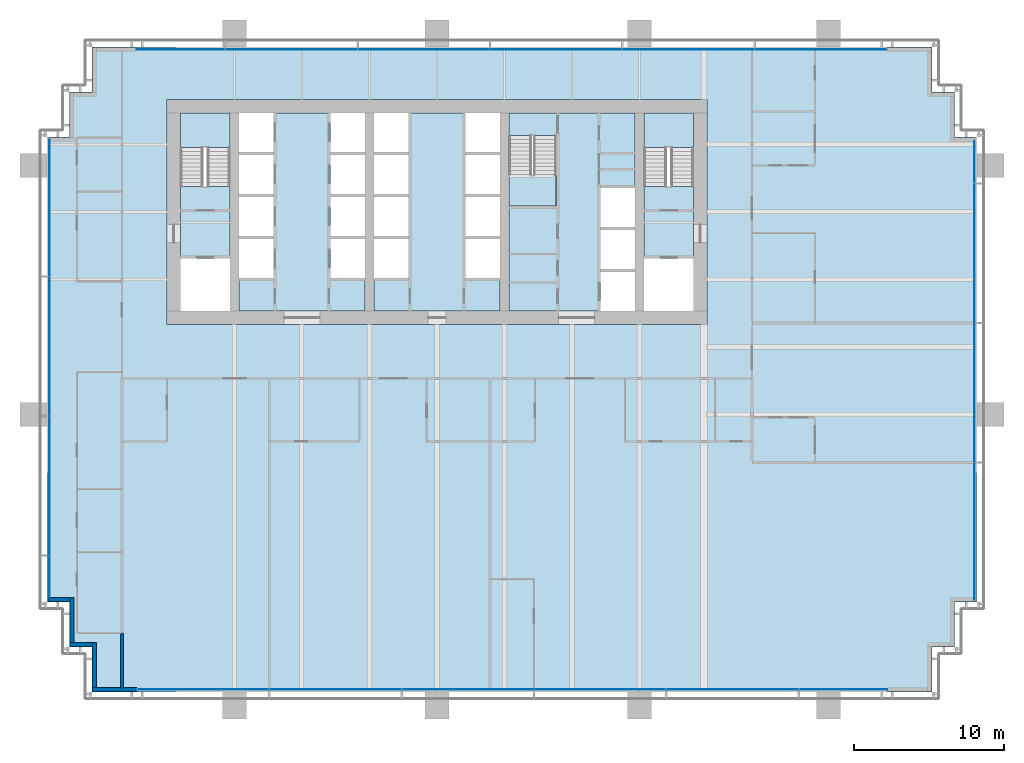
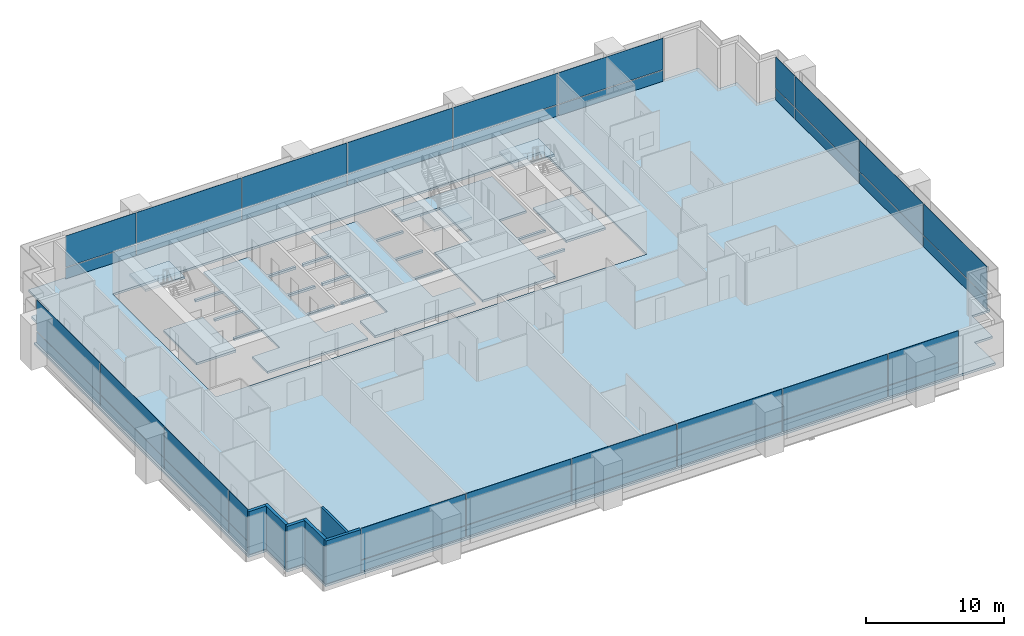
# One storey, part 11 of 19: 40 plates, 9 slabs, 6 walls, 7 elements without a shape of their own.
"""IFC4 building model written with IfcOpenShell, lengths in metres."""

from ifc_helpers import new_model, si_unit, direction, frame, frame_2d, origin, origin_2d, place, context, subcontext, project, spatial, polyline, rectangle, outline, extrude, material, layer, layer_set, type_object, element, aggregate, save


model = new_model("IFC4")

# Units and contexts
model_context = context("Model", 3, precision=1e-05, world=origin(), true_north=direction((0.0, 1.0)))
body_context = subcontext(model_context, "Body", "Model", "MODEL_VIEW")
ifc_project = project(units=[si_unit("LENGTHUNIT", "METRE"), si_unit("AREAUNIT", "SQUARE_METRE"), si_unit("VOLUMEUNIT", "CUBIC_METRE"), si_unit("PLANEANGLEUNIT", "RADIAN"), si_unit("MASSUNIT", "GRAM", prefix="KILO")], contexts=[model_context])

# Site, building, storey
site_placement = place(None, origin())
site = spatial("IfcSite", under=ifc_project, at=site_placement, CompositionType="ELEMENT")
building_placement = place(site_placement, origin())
building = spatial("IfcBuilding", under=site, at=building_placement, Name="Rattan Terrace Tower", CompositionType="ELEMENT")
storey_placement = place(building_placement, frame((0.0, 0.0, 87.699951171875)))
storey = spatial("IfcBuildingStorey", under=building, at=storey_placement, Name="L19", CompositionType="ELEMENT", Elevation=87.699951171875)

# Stair, slab
ifc_material_1 = material(Name="Concrete C40/50", Category="concrete")
stair_type = type_object("IfcStairType", Name="Core exit stair 1500", PredefinedType="HALF_TURN_STAIR", material=ifc_material_1)
stair_1_placement = place(storey_placement, origin())
stair_1 = element("IfcStair", 1, at=stair_1_placement, inside=storey, type_object=stair_type, Name="L19 exit stair 1", PredefinedType="HALF_TURN_STAIR")
ifc_material_2 = material(Name="Concrete C40/50", Category="concrete")
ifc_layer_1 = layer(ifc_material_2, 0.199951171875)
ifc_layer_set_1 = layer_set([ifc_layer_1], Name="Core exit stair landing")
slab_type_1 = type_object("IfcSlabType", Name="Core exit stair landing", PredefinedType="LANDING", material=ifc_layer_set_1)
slab_1_placement = place(storey_placement, frame((0.0, 0.0, 1.800048828125)))
slab_1 = element("IfcSlab", 2, at=slab_1_placement, type_object=slab_type_1, Name="S1 landing 1", PredefinedType="LANDING", context=body_context, shape_type="SweptSolid", body=[
    extrude(outline(polyline([(-13.800048828125, 4.300048828125), (-13.800048828125, 6.60009765625), (-17.10009765625, 6.60009765625), (-17.10009765625, 4.300048828125), (-13.800048828125, 4.300048828125)])), origin(), (0.0, 0.0, 1.0), 0.199951171875),
])
aggregate(stair_1, [slab_1])

stair_2_placement = place(storey_placement, origin())
stair_2 = element("IfcStair", 3, at=stair_2_placement, inside=storey, type_object=stair_type, Name="L19 exit stair 2", PredefinedType="HALF_TURN_STAIR")
slab_2_placement = place(storey_placement, frame((0.0, 0.0, 1.800048828125)))
slab_2 = element("IfcSlab", 4, at=slab_2_placement, type_object=slab_type_1, Name="S2 landing 1", PredefinedType="LANDING", context=body_context, shape_type="SweptSolid", body=[
    extrude(outline(polyline([(17.10009765625, 4.300048828125), (17.10009765625, 6.60009765625), (13.800048828125, 6.60009765625), (13.800048828125, 4.300048828125), (17.10009765625, 4.300048828125)])), origin(), (0.0, 0.0, 1.0), 0.199951171875),
])
aggregate(stair_2, [slab_2])

stair_3_placement = place(storey_placement, origin())
stair_3 = element("IfcStair", 5, at=stair_3_placement, inside=storey, type_object=stair_type, Name="L19 exit stair 3", PredefinedType="HALF_TURN_STAIR")
slab_3_placement = place(storey_placement, frame((0.0, 0.0, 1.800048828125)))
slab_3 = element("IfcSlab", 6, at=slab_3_placement, type_object=slab_type_1, Name="S3 landing 1", PredefinedType="LANDING", context=body_context, shape_type="SweptSolid", body=[
    extrude(outline(polyline([(4.800048828125, 2.5), (4.800048828125, 0.39990234375), (7.949951171875, 0.39990234375), (7.949951171875, 2.5), (4.800048828125, 2.5)])), origin(), (0.0, 0.0, 1.0), 0.199951171875),
])
aggregate(stair_3, [slab_3])

# Curtain wall, plates
ifc_material_3 = material(Name="Aluminium and glass", Category="aluminium")
curtain_wall_type = type_object("IfcCurtainWallType", Name="Facade Unitised Curtain Wall", PredefinedType="NOTDEFINED", material=ifc_material_3)
curtain_wall_1_placement = place(storey_placement, origin())
curtain_wall_1 = element("IfcCurtainWall", 7, at=curtain_wall_1_placement, inside=storey, type_object=curtain_wall_type, Name="Curtain wall L19-1", PredefinedType="NOTDEFINED")
ifc_material_4 = material(Name="Aluminium insulated spandrel panel", Category="aluminium")
ifc_layer_2 = layer(ifc_material_4, 0.028076171875)
ifc_layer_set_2 = layer_set([ifc_layer_2], Name="Facade CW Spandrel Panel")
plate_type_1 = type_object("IfcPlateType", Name="Facade CW Spandrel Panel", PredefinedType="CURTAIN_PANEL", material=ifc_layer_set_2)
plate_1_placement = place(storey_placement, frame((35.830078125, -21.3125, 0.0), z_axis=(0.0, 0.0, 1.0), x_axis=(0.0, 1.0, 0.0)))
plate_1 = element("IfcPlate", 8, at=plate_1_placement, type_object=plate_type_1, Name="Panel cwl-L19-001.1.1", PredefinedType="CURTAIN_PANEL", context=body_context, shape_type="SweptSolid", body=[
    extrude(rectangle(XDim=9.1650390625, YDim=0.028076171875, at=origin_2d()), origin(), (0.0, 0.0, 1.0), 0.969970703125),
])
plate_2_placement = place(storey_placement, frame((35.830078125, -12.050048828125, 0.0), z_axis=(0.0, 0.0, 1.0), x_axis=(0.0, 1.0, 0.0)))
plate_2 = element("IfcPlate", 9, at=plate_2_placement, type_object=plate_type_1, Name="Panel cwl-L19-001.2.1", PredefinedType="CURTAIN_PANEL", context=body_context, shape_type="SweptSolid", body=[
    extrude(rectangle(XDim=9.239990234375, YDim=0.028076171875, at=origin_2d()), origin(), (0.0, 0.0, 1.0), 0.969970703125),
])
plate_3_placement = place(storey_placement, frame((35.830078125, -2.75, 0.0), z_axis=(0.0, 0.0, 1.0), x_axis=(0.0, 1.0, 0.0)))
plate_3 = element("IfcPlate", 10, at=plate_3_placement, type_object=plate_type_1, Name="Panel cwl-L19-001.3.1", PredefinedType="CURTAIN_PANEL", context=body_context, shape_type="SweptSolid", body=[
    extrude(rectangle(XDim=9.239990234375, YDim=0.028076171875, at=origin_2d()), origin(), (0.0, 0.0, 1.0), 0.969970703125),
])
plate_4_placement = place(storey_placement, frame((35.830078125, 3.3173828125, 0.0), z_axis=(0.0, 0.0, 1.0), x_axis=(0.0, 1.0, 0.0)))
plate_4 = element("IfcPlate", 11, at=plate_4_placement, type_object=plate_type_1, Name="Panel cwl-L19-001.4.1", PredefinedType="CURTAIN_PANEL", context=body_context, shape_type="SweptSolid", body=[
    extrude(rectangle(XDim=2.77490234375, YDim=0.028076171875, at=origin_2d()), origin(), (0.0, 0.0, 1.0), 0.969970703125),
])

curtain_wall_2_placement = place(storey_placement, origin())
curtain_wall_2 = element("IfcCurtainWall", 12, at=curtain_wall_2_placement, inside=storey, type_object=curtain_wall_type, Name="Curtain wall L19-2", PredefinedType="NOTDEFINED")
plate_5_placement = place(storey_placement, frame((25.573486328125, 10.830078125, 0.0), z_axis=(0.0, 0.0, 1.0), x_axis=(-1.0, 0.0, 0.0)))
plate_5 = element("IfcPlate", 13, at=plate_5_placement, type_object=plate_type_1, Name="Panel cwl-L19-002.1.1", PredefinedType="CURTAIN_PANEL", context=body_context, shape_type="SweptSolid", body=[
    extrude(rectangle(XDim=8.73291015625, YDim=0.028076171875, at=origin_2d()), origin(), (0.0, 0.0, 1.0), 0.969970703125),
])
plate_6_placement = place(storey_placement, frame((16.765380859375, 10.830078125, 0.0), z_axis=(0.0, 0.0, 1.0), x_axis=(-1.0, 0.0, 0.0)))
plate_6 = element("IfcPlate", 14, at=plate_6_placement, type_object=plate_type_1, Name="Panel cwl-L19-002.2.1", PredefinedType="CURTAIN_PANEL", context=body_context, shape_type="SweptSolid", body=[
    extrude(rectangle(XDim=8.762939453125, YDim=0.028076171875, at=origin_2d()), origin(), (0.0, 0.0, 1.0), 0.969970703125),
])
plate_7_placement = place(storey_placement, frame((7.9423828125, 10.830078125, 0.0), z_axis=(0.0, 0.0, 1.0), x_axis=(-1.0, 0.0, 0.0)))
plate_7 = element("IfcPlate", 15, at=plate_7_placement, type_object=plate_type_1, Name="Panel cwl-L19-002.3.1", PredefinedType="CURTAIN_PANEL", context=body_context, shape_type="SweptSolid", body=[
    extrude(rectangle(XDim=8.762939453125, YDim=0.028076171875, at=origin_2d()), origin(), (0.0, 0.0, 1.0), 0.969970703125),
])
plate_8_placement = place(storey_placement, frame((-0.880615234375, 10.830078125, 0.0), z_axis=(0.0, 0.0, 1.0), x_axis=(-1.0, 0.0, 0.0)))
plate_8 = element("IfcPlate", 16, at=plate_8_placement, type_object=plate_type_1, Name="Panel cwl-L19-002.4.1", PredefinedType="CURTAIN_PANEL", context=body_context, shape_type="SweptSolid", body=[
    extrude(rectangle(XDim=8.762939453125, YDim=0.028076171875, at=origin_2d()), origin(), (0.0, 0.0, 1.0), 0.969970703125),
])
plate_9_placement = place(storey_placement, frame((-9.70361328125, 10.830078125, 0.0), z_axis=(0.0, 0.0, 1.0), x_axis=(-1.0, 0.0, 0.0)))
plate_9 = element("IfcPlate", 17, at=plate_9_placement, type_object=plate_type_1, Name="Panel cwl-L19-002.5.1", PredefinedType="CURTAIN_PANEL", context=body_context, shape_type="SweptSolid", body=[
    extrude(rectangle(XDim=8.762939453125, YDim=0.028076171875, at=origin_2d()), origin(), (0.0, 0.0, 1.0), 0.969970703125),
])
plate_10_placement = place(storey_placement, frame((-17.072509765625, 10.830078125, 0.0), z_axis=(0.0, 0.0, 1.0), x_axis=(-1.0, 0.0, 0.0)))
plate_10 = element("IfcPlate", 18, at=plate_10_placement, type_object=plate_type_1, Name="Panel cwl-L19-002.6.1", PredefinedType="CURTAIN_PANEL", context=body_context, shape_type="SweptSolid", body=[
    extrude(rectangle(XDim=5.85498046875, YDim=0.028076171875, at=origin_2d()), origin(), (0.0, 0.0, 1.0), 0.969970703125),
])

curtain_wall_3_placement = place(storey_placement, origin())
curtain_wall_3 = element("IfcCurtainWall", 19, at=curtain_wall_3_placement, inside=storey, type_object=curtain_wall_type, Name="Curtain wall L19-3", PredefinedType="NOTDEFINED")
plate_11_placement = place(storey_placement, frame((-25.830078125, 0.3125, 0.0), z_axis=(0.0, 0.0, 1.0), x_axis=(0.0, -1.0, 0.0)))
plate_11 = element("IfcPlate", 20, at=plate_11_placement, type_object=plate_type_1, Name="Panel cwl-L19-003.1.1", PredefinedType="CURTAIN_PANEL", context=body_context, shape_type="SweptSolid", body=[
    extrude(rectangle(XDim=9.1650390625, YDim=0.028076171875, at=origin_2d()), origin(), (0.0, 0.0, 1.0), 0.969970703125),
])
plate_12_placement = place(storey_placement, frame((-25.830078125, -8.949951171875, 0.0), z_axis=(0.0, 0.0, 1.0), x_axis=(0.0, -1.0, 0.0)))
plate_12 = element("IfcPlate", 21, at=plate_12_placement, type_object=plate_type_1, Name="Panel cwl-L19-003.2.1", PredefinedType="CURTAIN_PANEL", context=body_context, shape_type="SweptSolid", body=[
    extrude(rectangle(XDim=9.239990234375, YDim=0.028076171875, at=origin_2d()), origin(), (0.0, 0.0, 1.0), 0.969970703125),
])
plate_13_placement = place(storey_placement, frame((-25.830078125, -18.25, 0.0), z_axis=(0.0, 0.0, 1.0), x_axis=(0.0, -1.0, 0.0)))
plate_13 = element("IfcPlate", 22, at=plate_13_placement, type_object=plate_type_1, Name="Panel cwl-L19-003.3.1", PredefinedType="CURTAIN_PANEL", context=body_context, shape_type="SweptSolid", body=[
    extrude(rectangle(XDim=9.239990234375, YDim=0.028076171875, at=origin_2d()), origin(), (0.0, 0.0, 1.0), 0.969970703125),
])
plate_14_placement = place(storey_placement, frame((-25.830078125, -24.3173828125, 0.0), z_axis=(0.0, 0.0, 1.0), x_axis=(0.0, -1.0, 0.0)))
plate_14 = element("IfcPlate", 23, at=plate_14_placement, type_object=plate_type_1, Name="Panel cwl-L19-003.4.1", PredefinedType="CURTAIN_PANEL", context=body_context, shape_type="SweptSolid", body=[
    extrude(rectangle(XDim=2.77490234375, YDim=0.028076171875, at=origin_2d()), origin(), (0.0, 0.0, 1.0), 0.969970703125),
])

curtain_wall_4_placement = place(storey_placement, origin())
curtain_wall_4 = element("IfcCurtainWall", 24, at=curtain_wall_4_placement, inside=storey, type_object=curtain_wall_type, Name="Curtain wall L19-4", PredefinedType="NOTDEFINED")
plate_15_placement = place(storey_placement, frame((-15.573486328125, -31.830078125, 0.0), z_axis=(0.0, 0.0, 1.0), x_axis=(1.0, 0.0, 0.0)))
plate_15 = element("IfcPlate", 25, at=plate_15_placement, type_object=plate_type_1, Name="Panel cwl-L19-004.1.1", PredefinedType="CURTAIN_PANEL", context=body_context, shape_type="SweptSolid", body=[
    extrude(rectangle(XDim=8.73291015625, YDim=0.028076171875, at=origin_2d()), origin(), (0.0, 0.0, 1.0), 0.969970703125),
])
plate_16_placement = place(storey_placement, frame((-6.765380859375, -31.830078125, 0.0), z_axis=(0.0, 0.0, 1.0), x_axis=(1.0, 0.0, 0.0)))
plate_16 = element("IfcPlate", 26, at=plate_16_placement, type_object=plate_type_1, Name="Panel cwl-L19-004.2.1", PredefinedType="CURTAIN_PANEL", context=body_context, shape_type="SweptSolid", body=[
    extrude(rectangle(XDim=8.762939453125, YDim=0.028076171875, at=origin_2d()), origin(), (0.0, 0.0, 1.0), 0.969970703125),
])
plate_17_placement = place(storey_placement, frame((2.0576171875, -31.830078125, 0.0), z_axis=(0.0, 0.0, 1.0), x_axis=(1.0, 0.0, 0.0)))
plate_17 = element("IfcPlate", 27, at=plate_17_placement, type_object=plate_type_1, Name="Panel cwl-L19-004.3.1", PredefinedType="CURTAIN_PANEL", context=body_context, shape_type="SweptSolid", body=[
    extrude(rectangle(XDim=8.762939453125, YDim=0.028076171875, at=origin_2d()), origin(), (0.0, 0.0, 1.0), 0.969970703125),
])
plate_18_placement = place(storey_placement, frame((10.880615234375, -31.830078125, 0.0), z_axis=(0.0, 0.0, 1.0), x_axis=(1.0, 0.0, 0.0)))
plate_18 = element("IfcPlate", 28, at=plate_18_placement, type_object=plate_type_1, Name="Panel cwl-L19-004.4.1", PredefinedType="CURTAIN_PANEL", context=body_context, shape_type="SweptSolid", body=[
    extrude(rectangle(XDim=8.762939453125, YDim=0.028076171875, at=origin_2d()), origin(), (0.0, 0.0, 1.0), 0.969970703125),
])
plate_19_placement = place(storey_placement, frame((19.70361328125, -31.830078125, 0.0), z_axis=(0.0, 0.0, 1.0), x_axis=(1.0, 0.0, 0.0)))
plate_19 = element("IfcPlate", 29, at=plate_19_placement, type_object=plate_type_1, Name="Panel cwl-L19-004.5.1", PredefinedType="CURTAIN_PANEL", context=body_context, shape_type="SweptSolid", body=[
    extrude(rectangle(XDim=8.762939453125, YDim=0.028076171875, at=origin_2d()), origin(), (0.0, 0.0, 1.0), 0.969970703125),
])
plate_20_placement = place(storey_placement, frame((27.072509765625, -31.830078125, 0.0), z_axis=(0.0, 0.0, 1.0), x_axis=(1.0, 0.0, 0.0)))
plate_20 = element("IfcPlate", 30, at=plate_20_placement, type_object=plate_type_1, Name="Panel cwl-L19-004.6.1", PredefinedType="CURTAIN_PANEL", context=body_context, shape_type="SweptSolid", body=[
    extrude(rectangle(XDim=5.85498046875, YDim=0.028076171875, at=origin_2d()), origin(), (0.0, 0.0, 1.0), 0.969970703125),
])

# Plate
ifc_material_5 = material(Name="Clear low-iron glass", Category="glass")
ifc_layer_3 = layer(ifc_material_5, 0.028076171875)
ifc_layer_set_3 = layer_set([ifc_layer_3], Name="Facade CW Vision Panel")
plate_type_2 = type_object("IfcPlateType", Name="Facade CW Vision Panel", PredefinedType="CURTAIN_PANEL", material=ifc_layer_set_3)
plate_21_placement = place(storey_placement, frame((35.830078125, -21.3125, 1.030029296875), z_axis=(0.0, 0.0, 1.0), x_axis=(0.0, 1.0, 0.0)))
plate_21 = element("IfcPlate", 31, at=plate_21_placement, type_object=plate_type_2, Name="Panel cwl-L19-001.1.2", PredefinedType="CURTAIN_PANEL", context=body_context, shape_type="SweptSolid", body=[
    extrude(rectangle(XDim=9.1650390625, YDim=0.028076171875, at=origin_2d()), origin(), (0.0, 0.0, 1.0), 2.77001953125),
])

plate_22_placement = place(storey_placement, frame((35.830078125, -12.050048828125, 1.030029296875), z_axis=(0.0, 0.0, 1.0), x_axis=(0.0, 1.0, 0.0)))
plate_22 = element("IfcPlate", 32, at=plate_22_placement, type_object=plate_type_2, Name="Panel cwl-L19-001.2.2", PredefinedType="CURTAIN_PANEL", context=body_context, shape_type="SweptSolid", body=[
    extrude(rectangle(XDim=9.239990234375, YDim=0.028076171875, at=origin_2d()), origin(), (0.0, 0.0, 1.0), 2.77001953125),
])

plate_23_placement = place(storey_placement, frame((35.830078125, -2.75, 1.030029296875), z_axis=(0.0, 0.0, 1.0), x_axis=(0.0, 1.0, 0.0)))
plate_23 = element("IfcPlate", 33, at=plate_23_placement, type_object=plate_type_2, Name="Panel cwl-L19-001.3.2", PredefinedType="CURTAIN_PANEL", context=body_context, shape_type="SweptSolid", body=[
    extrude(rectangle(XDim=9.239990234375, YDim=0.028076171875, at=origin_2d()), origin(), (0.0, 0.0, 1.0), 2.77001953125),
])

plate_24_placement = place(storey_placement, frame((35.830078125, 3.3173828125, 1.030029296875), z_axis=(0.0, 0.0, 1.0), x_axis=(0.0, 1.0, 0.0)))
plate_24 = element("IfcPlate", 34, at=plate_24_placement, type_object=plate_type_2, Name="Panel cwl-L19-001.4.2", PredefinedType="CURTAIN_PANEL", context=body_context, shape_type="SweptSolid", body=[
    extrude(rectangle(XDim=2.77490234375, YDim=0.028076171875, at=origin_2d()), origin(), (0.0, 0.0, 1.0), 2.77001953125),
])

aggregate(curtain_wall_1, [plate_1, plate_21, plate_2, plate_22, plate_3, plate_23, plate_4, plate_24])

plate_25_placement = place(storey_placement, frame((25.573486328125, 10.830078125, 1.030029296875), z_axis=(0.0, 0.0, 1.0), x_axis=(-1.0, 0.0, 0.0)))
plate_25 = element("IfcPlate", 35, at=plate_25_placement, type_object=plate_type_2, Name="Panel cwl-L19-002.1.2", PredefinedType="CURTAIN_PANEL", context=body_context, shape_type="SweptSolid", body=[
    extrude(rectangle(XDim=8.73291015625, YDim=0.028076171875, at=origin_2d()), origin(), (0.0, 0.0, 1.0), 2.77001953125),
])

plate_26_placement = place(storey_placement, frame((16.765380859375, 10.830078125, 1.030029296875), z_axis=(0.0, 0.0, 1.0), x_axis=(-1.0, 0.0, 0.0)))
plate_26 = element("IfcPlate", 36, at=plate_26_placement, type_object=plate_type_2, Name="Panel cwl-L19-002.2.2", PredefinedType="CURTAIN_PANEL", context=body_context, shape_type="SweptSolid", body=[
    extrude(rectangle(XDim=8.762939453125, YDim=0.028076171875, at=origin_2d()), origin(), (0.0, 0.0, 1.0), 2.77001953125),
])

plate_27_placement = place(storey_placement, frame((7.9423828125, 10.830078125, 1.030029296875), z_axis=(0.0, 0.0, 1.0), x_axis=(-1.0, 0.0, 0.0)))
plate_27 = element("IfcPlate", 37, at=plate_27_placement, type_object=plate_type_2, Name="Panel cwl-L19-002.3.2", PredefinedType="CURTAIN_PANEL", context=body_context, shape_type="SweptSolid", body=[
    extrude(rectangle(XDim=8.762939453125, YDim=0.028076171875, at=origin_2d()), origin(), (0.0, 0.0, 1.0), 2.77001953125),
])

plate_28_placement = place(storey_placement, frame((-0.880615234375, 10.830078125, 1.030029296875), z_axis=(0.0, 0.0, 1.0), x_axis=(-1.0, 0.0, 0.0)))
plate_28 = element("IfcPlate", 38, at=plate_28_placement, type_object=plate_type_2, Name="Panel cwl-L19-002.4.2", PredefinedType="CURTAIN_PANEL", context=body_context, shape_type="SweptSolid", body=[
    extrude(rectangle(XDim=8.762939453125, YDim=0.028076171875, at=origin_2d()), origin(), (0.0, 0.0, 1.0), 2.77001953125),
])

plate_29_placement = place(storey_placement, frame((-9.70361328125, 10.830078125, 1.030029296875), z_axis=(0.0, 0.0, 1.0), x_axis=(-1.0, 0.0, 0.0)))
plate_29 = element("IfcPlate", 39, at=plate_29_placement, type_object=plate_type_2, Name="Panel cwl-L19-002.5.2", PredefinedType="CURTAIN_PANEL", context=body_context, shape_type="SweptSolid", body=[
    extrude(rectangle(XDim=8.762939453125, YDim=0.028076171875, at=origin_2d()), origin(), (0.0, 0.0, 1.0), 2.77001953125),
])

plate_30_placement = place(storey_placement, frame((-17.072509765625, 10.830078125, 1.030029296875), z_axis=(0.0, 0.0, 1.0), x_axis=(-1.0, 0.0, 0.0)))
plate_30 = element("IfcPlate", 40, at=plate_30_placement, type_object=plate_type_2, Name="Panel cwl-L19-002.6.2", PredefinedType="CURTAIN_PANEL", context=body_context, shape_type="SweptSolid", body=[
    extrude(rectangle(XDim=5.85498046875, YDim=0.028076171875, at=origin_2d()), origin(), (0.0, 0.0, 1.0), 2.77001953125),
])

aggregate(curtain_wall_2, [plate_5, plate_25, plate_6, plate_26, plate_7, plate_27, plate_8, plate_28, plate_9, plate_29, plate_10, plate_30])

plate_31_placement = place(storey_placement, frame((-25.830078125, 0.3125, 1.030029296875), z_axis=(0.0, 0.0, 1.0), x_axis=(0.0, -1.0, 0.0)))
plate_31 = element("IfcPlate", 41, at=plate_31_placement, type_object=plate_type_2, Name="Panel cwl-L19-003.1.2", PredefinedType="CURTAIN_PANEL", context=body_context, shape_type="SweptSolid", body=[
    extrude(rectangle(XDim=9.1650390625, YDim=0.028076171875, at=origin_2d()), origin(), (0.0, 0.0, 1.0), 2.77001953125),
])

plate_32_placement = place(storey_placement, frame((-25.830078125, -8.949951171875, 1.030029296875), z_axis=(0.0, 0.0, 1.0), x_axis=(0.0, -1.0, 0.0)))
plate_32 = element("IfcPlate", 42, at=plate_32_placement, type_object=plate_type_2, Name="Panel cwl-L19-003.2.2", PredefinedType="CURTAIN_PANEL", context=body_context, shape_type="SweptSolid", body=[
    extrude(rectangle(XDim=9.239990234375, YDim=0.028076171875, at=origin_2d()), origin(), (0.0, 0.0, 1.0), 2.77001953125),
])

plate_33_placement = place(storey_placement, frame((-25.830078125, -18.25, 1.030029296875), z_axis=(0.0, 0.0, 1.0), x_axis=(0.0, -1.0, 0.0)))
plate_33 = element("IfcPlate", 43, at=plate_33_placement, type_object=plate_type_2, Name="Panel cwl-L19-003.3.2", PredefinedType="CURTAIN_PANEL", context=body_context, shape_type="SweptSolid", body=[
    extrude(rectangle(XDim=9.239990234375, YDim=0.028076171875, at=origin_2d()), origin(), (0.0, 0.0, 1.0), 2.77001953125),
])

plate_34_placement = place(storey_placement, frame((-25.830078125, -24.3173828125, 1.030029296875), z_axis=(0.0, 0.0, 1.0), x_axis=(0.0, -1.0, 0.0)))
plate_34 = element("IfcPlate", 44, at=plate_34_placement, type_object=plate_type_2, Name="Panel cwl-L19-003.4.2", PredefinedType="CURTAIN_PANEL", context=body_context, shape_type="SweptSolid", body=[
    extrude(rectangle(XDim=2.77490234375, YDim=0.028076171875, at=origin_2d()), origin(), (0.0, 0.0, 1.0), 2.77001953125),
])

aggregate(curtain_wall_3, [plate_11, plate_31, plate_12, plate_32, plate_13, plate_33, plate_14, plate_34])

plate_35_placement = place(storey_placement, frame((-15.573486328125, -31.830078125, 1.030029296875), z_axis=(0.0, 0.0, 1.0), x_axis=(1.0, 0.0, 0.0)))
plate_35 = element("IfcPlate", 45, at=plate_35_placement, type_object=plate_type_2, Name="Panel cwl-L19-004.1.2", PredefinedType="CURTAIN_PANEL", context=body_context, shape_type="SweptSolid", body=[
    extrude(rectangle(XDim=8.73291015625, YDim=0.028076171875, at=origin_2d()), origin(), (0.0, 0.0, 1.0), 2.77001953125),
])

plate_36_placement = place(storey_placement, frame((-6.765380859375, -31.830078125, 1.030029296875), z_axis=(0.0, 0.0, 1.0), x_axis=(1.0, 0.0, 0.0)))
plate_36 = element("IfcPlate", 46, at=plate_36_placement, type_object=plate_type_2, Name="Panel cwl-L19-004.2.2", PredefinedType="CURTAIN_PANEL", context=body_context, shape_type="SweptSolid", body=[
    extrude(rectangle(XDim=8.762939453125, YDim=0.028076171875, at=origin_2d()), origin(), (0.0, 0.0, 1.0), 2.77001953125),
])

plate_37_placement = place(storey_placement, frame((2.0576171875, -31.830078125, 1.030029296875), z_axis=(0.0, 0.0, 1.0), x_axis=(1.0, 0.0, 0.0)))
plate_37 = element("IfcPlate", 47, at=plate_37_placement, type_object=plate_type_2, Name="Panel cwl-L19-004.3.2", PredefinedType="CURTAIN_PANEL", context=body_context, shape_type="SweptSolid", body=[
    extrude(rectangle(XDim=8.762939453125, YDim=0.028076171875, at=origin_2d()), origin(), (0.0, 0.0, 1.0), 2.77001953125),
])

plate_38_placement = place(storey_placement, frame((10.880615234375, -31.830078125, 1.030029296875), z_axis=(0.0, 0.0, 1.0), x_axis=(1.0, 0.0, 0.0)))
plate_38 = element("IfcPlate", 48, at=plate_38_placement, type_object=plate_type_2, Name="Panel cwl-L19-004.4.2", PredefinedType="CURTAIN_PANEL", context=body_context, shape_type="SweptSolid", body=[
    extrude(rectangle(XDim=8.762939453125, YDim=0.028076171875, at=origin_2d()), origin(), (0.0, 0.0, 1.0), 2.77001953125),
])

plate_39_placement = place(storey_placement, frame((19.70361328125, -31.830078125, 1.030029296875), z_axis=(0.0, 0.0, 1.0), x_axis=(1.0, 0.0, 0.0)))
plate_39 = element("IfcPlate", 49, at=plate_39_placement, type_object=plate_type_2, Name="Panel cwl-L19-004.5.2", PredefinedType="CURTAIN_PANEL", context=body_context, shape_type="SweptSolid", body=[
    extrude(rectangle(XDim=8.762939453125, YDim=0.028076171875, at=origin_2d()), origin(), (0.0, 0.0, 1.0), 2.77001953125),
])

plate_40_placement = place(storey_placement, frame((27.072509765625, -31.830078125, 1.030029296875), z_axis=(0.0, 0.0, 1.0), x_axis=(1.0, 0.0, 0.0)))
plate_40 = element("IfcPlate", 50, at=plate_40_placement, type_object=plate_type_2, Name="Panel cwl-L19-004.6.2", PredefinedType="CURTAIN_PANEL", context=body_context, shape_type="SweptSolid", body=[
    extrude(rectangle(XDim=5.85498046875, YDim=0.028076171875, at=origin_2d()), origin(), (0.0, 0.0, 1.0), 2.77001953125),
])

aggregate(curtain_wall_4, [plate_15, plate_35, plate_16, plate_36, plate_17, plate_37, plate_18, plate_38, plate_19, plate_39, plate_20, plate_40])

# Slabs
ifc_material_6 = material(Name="Concrete C35/45", Category="concrete")
ifc_layer_4 = layer(ifc_material_6, 0.199951171875)
ifc_layer_set_4 = layer_set([ifc_layer_4], Name="Frame composite floor slab 200")
slab_type_2 = type_object("IfcSlabType", Name="Frame composite floor slab 200", PredefinedType="FLOOR", material=ifc_layer_set_4)
slab_4_placement = place(storey_placement, frame((0.0, 0.0, -0.199951171875)))
element("IfcSlab", 51, at=slab_4_placement, inside=storey, type_object=slab_type_2, Name="Floor slab", PredefinedType="FLOOR", context=body_context, shape_type="SweptSolid", body=[
    extrude(outline(polyline([(-20.0, -32.0), (30.0, -32.0), (33.0, -32.0), (33.0, -29.0), (34.5, -29.0), (34.5, -26.0), (36.0, -26.0), (36.0, 5.0), (34.5, 5.0), (34.5, 8.0), (33.0, 8.0), (33.0, 11.0), (30.0, 11.0), (-20.0, 11.0), (-23.0, 11.0), (-23.0, 8.0), (-24.5, 8.0), (-24.5, 5.0), (-26.0, 5.0), (-26.0, -26.0), (-24.5, -26.0), (-24.5, -29.0), (-23.0, -29.0), (-23.0, -32.0), (-20.0, -32.0)]), holes=[polyline([(-18.0, -6.60009765625), (-18.0, -7.5), (18.0, -7.5), (18.0, -6.60009765625), (18.0, 6.60009765625), (18.0, 7.5), (-18.0, 7.5), (-18.0, 6.60009765625), (-18.0, -6.60009765625)])]), origin(), (0.0, 0.0, 1.0), 0.199951171875),
])
slab_5_placement = place(storey_placement, frame((0.0, 0.0, -0.199951171875)))
element("IfcSlab", 52, at=slab_5_placement, inside=storey, type_object=slab_type_2, Name="Floor slab", PredefinedType="FLOOR", context=body_context, shape_type="SweptSolid", body=[
    extrude(outline(polyline([(-10.89990234375, 6.60009765625), (-10.89990234375, 4.0), (-13.199951171875, 4.0), (-13.199951171875, 3.800048828125), (-10.89990234375, 3.800048828125), (-10.89990234375, 1.199951171875), (-13.199951171875, 1.199951171875), (-13.199951171875, 1.0), (-10.89990234375, 1.0), (-10.89990234375, -1.60009765625), (-13.199951171875, -1.60009765625), (-13.199951171875, -1.800048828125), (-10.89990234375, -1.800048828125), (-10.89990234375, -4.39990234375), (-13.199951171875, -4.39990234375), (-13.199951171875, -6.60009765625), (-4.800048828125, -6.60009765625), (-4.800048828125, -4.39990234375), (-7.10009765625, -4.39990234375), (-7.10009765625, -1.800048828125), (-4.800048828125, -1.800048828125), (-4.800048828125, -1.60009765625), (-7.10009765625, -1.60009765625), (-7.10009765625, 1.0), (-4.800048828125, 1.0), (-4.800048828125, 1.199951171875), (-7.10009765625, 1.199951171875), (-7.10009765625, 3.800048828125), (-4.800048828125, 3.800048828125), (-4.800048828125, 4.0), (-7.10009765625, 4.0), (-7.10009765625, 6.60009765625), (-10.89990234375, 6.60009765625)])), origin(), (0.0, 0.0, 1.0), 0.199951171875),
])
slab_6_placement = place(storey_placement, frame((0.0, 0.0, -0.199951171875)))
element("IfcSlab", 53, at=slab_6_placement, inside=storey, type_object=slab_type_2, Name="Floor slab", PredefinedType="FLOOR", context=body_context, shape_type="SweptSolid", body=[
    extrude(outline(polyline([(-17.10009765625, -3.10009765625), (-13.800048828125, -3.10009765625), (-13.800048828125, 1.7099609375), (-17.10009765625, 1.7099609375), (-17.10009765625, -3.10009765625)])), origin(), (0.0, 0.0, 1.0), 0.199951171875),
])
slab_7_placement = place(storey_placement, frame((0.0, 0.0, -0.199951171875)))
element("IfcSlab", 54, at=slab_7_placement, inside=storey, type_object=slab_type_2, Name="Floor slab", PredefinedType="FLOOR", context=body_context, shape_type="SweptSolid", body=[
    extrude(outline(polyline([(-4.199951171875, 4.0), (-4.199951171875, 3.800048828125), (-1.89990234375, 3.800048828125), (-1.89990234375, 1.199951171875), (-4.199951171875, 1.199951171875), (-4.199951171875, 1.0), (-1.89990234375, 1.0), (-1.89990234375, -1.60009765625), (-4.199951171875, -1.60009765625), (-4.199951171875, -1.800048828125), (-1.89990234375, -1.800048828125), (-1.89990234375, -4.39990234375), (-4.199951171875, -4.39990234375), (-4.199951171875, -6.60009765625), (4.199951171875, -6.60009765625), (4.199951171875, -4.39990234375), (1.89990234375, -4.39990234375), (1.89990234375, -1.800048828125), (4.199951171875, -1.800048828125), (4.199951171875, -1.60009765625), (1.89990234375, -1.60009765625), (1.89990234375, 1.0), (4.199951171875, 1.0), (4.199951171875, 1.199951171875), (1.89990234375, 1.199951171875), (1.89990234375, 3.800048828125), (4.199951171875, 3.800048828125), (4.199951171875, 4.0), (1.89990234375, 4.0), (1.89990234375, 6.60009765625), (-1.89990234375, 6.60009765625), (-1.89990234375, 4.0), (-4.199951171875, 4.0)])), origin(), (0.0, 0.0, 1.0), 0.199951171875),
])
slab_8_placement = place(storey_placement, frame((0.0, 0.0, -0.199951171875)))
element("IfcSlab", 55, at=slab_8_placement, inside=storey, type_object=slab_type_2, Name="Floor slab", PredefinedType="FLOOR", context=body_context, shape_type="SweptSolid", body=[
    extrude(outline(polyline([(4.800048828125, 5.090087890625), (7.949951171875, 5.090087890625), (7.949951171875, 0.39990234375), (4.800048828125, 0.39990234375), (4.800048828125, -6.60009765625), (10.89990234375, -6.60009765625), (10.89990234375, -4.0), (13.199951171875, -4.0), (13.199951171875, -3.800048828125), (10.89990234375, -3.800048828125), (10.89990234375, -1.199951171875), (13.199951171875, -1.199951171875), (13.199951171875, -1.0), (10.89990234375, -1.0), (10.89990234375, 1.60009765625), (13.199951171875, 1.60009765625), (13.199951171875, 6.60009765625), (4.800048828125, 6.60009765625), (4.800048828125, 5.090087890625)])), origin(), (0.0, 0.0, 1.0), 0.199951171875),
])
slab_9_placement = place(storey_placement, frame((0.0, 0.0, -0.199951171875)))
element("IfcSlab", 56, at=slab_9_placement, inside=storey, type_object=slab_type_2, Name="Floor slab", PredefinedType="FLOOR", context=body_context, shape_type="SweptSolid", body=[
    extrude(outline(polyline([(13.800048828125, -3.10009765625), (17.10009765625, -3.10009765625), (17.10009765625, 1.7099609375), (13.800048828125, 1.7099609375), (13.800048828125, -3.10009765625)])), origin(), (0.0, 0.0, 1.0), 0.199951171875),
])

# Walls
ifc_material_7 = material(Name="Insulated aluminium-clad stud wall", Category="aluminium")
ifc_layer_5 = layer(ifc_material_7, 0.25)
ifc_layer_set_5 = layer_set([ifc_layer_5], Name="Facade Riser Wall 250")
wall_type_1 = type_object("IfcWallType", Name="Facade Riser Wall 250", PredefinedType="SOLIDWALL", material=ifc_layer_set_5)
wall_1_placement = place(storey_placement, frame((-25.909912109375, -25.830078125, 0.0), z_axis=(0.0, 0.0, 1.0), x_axis=(1.0, 0.0, 0.0)))
element("IfcWall", 57, at=wall_1_placement, inside=storey, type_object=wall_type_1, Name="Riser wall L19-16", PredefinedType="SOLIDWALL", context=body_context, shape_type="SweptSolid", body=[
    extrude(rectangle(XDim=1.454833984375, YDim=0.25, at=frame_2d((0.7275390625, 0.0))), origin(), (0.0, 0.0, 1.0), 3.800048828125),
])
wall_2_placement = place(storey_placement, frame((-24.330078125, -25.705078125, 0.0), z_axis=(0.0, 0.0, 1.0), x_axis=(0.0, -1.0, 0.0)))
element("IfcWall", 58, at=wall_2_placement, inside=storey, type_object=wall_type_1, Name="Riser wall L19-17", PredefinedType="SOLIDWALL", context=body_context, shape_type="SweptSolid", body=[
    extrude(rectangle(XDim=3.0, YDim=0.25, at=frame_2d((1.5, 0.0))), origin(), (0.0, 0.0, 1.0), 3.800048828125),
])
wall_3_placement = place(storey_placement, frame((-24.455078125, -28.830078125, 0.0), z_axis=(0.0, 0.0, 1.0), x_axis=(1.0, 0.0, 0.0)))
element("IfcWall", 59, at=wall_3_placement, inside=storey, type_object=wall_type_1, Name="Riser wall L19-18", PredefinedType="SOLIDWALL", context=body_context, shape_type="SweptSolid", body=[
    extrude(rectangle(XDim=1.5, YDim=0.25, at=frame_2d((0.75, 0.0))), origin(), (0.0, 0.0, 1.0), 3.800048828125),
])
wall_4_placement = place(storey_placement, frame((-22.830078125, -28.705078125, 0.0), z_axis=(0.0, 0.0, 1.0), x_axis=(0.0, -1.0, 0.0)))
element("IfcWall", 60, at=wall_4_placement, inside=storey, type_object=wall_type_1, Name="Riser wall L19-19", PredefinedType="SOLIDWALL", context=body_context, shape_type="SweptSolid", body=[
    extrude(rectangle(XDim=3.0, YDim=0.25, at=frame_2d((1.5, 0.0))), origin(), (0.0, 0.0, 1.0), 3.800048828125),
])
wall_5_placement = place(storey_placement, frame((-22.955078125, -31.830078125, 0.0), z_axis=(0.0, 0.0, 1.0), x_axis=(1.0, 0.0, 0.0)))
element("IfcWall", 61, at=wall_5_placement, inside=storey, type_object=wall_type_1, Name="Riser wall L19-20", PredefinedType="SOLIDWALL", context=body_context, shape_type="SweptSolid", body=[
    extrude(rectangle(XDim=2.955078125, YDim=0.25, at=frame_2d((1.4775390625, 0.0))), origin(), (0.0, 0.0, 1.0), 3.800048828125),
])
ifc_material_8 = material(Name="Double steel stud acoustic partition, gypsum board, mineral wool, fire rated", Category="steel")
ifc_layer_6 = layer(ifc_material_8, 0.179931640625)
ifc_layer_set_6 = layer_set([ifc_layer_6], Name="Floors Acoustic Party Wall 180")
wall_type_2 = type_object("IfcWallType", Name="Floors Acoustic Party Wall 180", PredefinedType="PARTITIONING", material=ifc_layer_set_6)
wall_6_placement = place(storey_placement, frame((-21.0, -28.06005859375, 0.0), z_axis=(0.0, 0.0, 1.0), x_axis=(0.0, -1.0, 0.0)))
element("IfcWall", 62, at=wall_6_placement, inside=storey, type_object=wall_type_2, Name="pt-L19-029", PredefinedType="PARTITIONING", context=body_context, shape_type="SweptSolid", body=[
    extrude(rectangle(XDim=3.679931640625, YDim=0.179931640625, at=frame_2d((1.83984375, 0.0))), origin(), (0.0, 0.0, 1.0), 3.800048828125),
])

save(model, "model.ifc")
